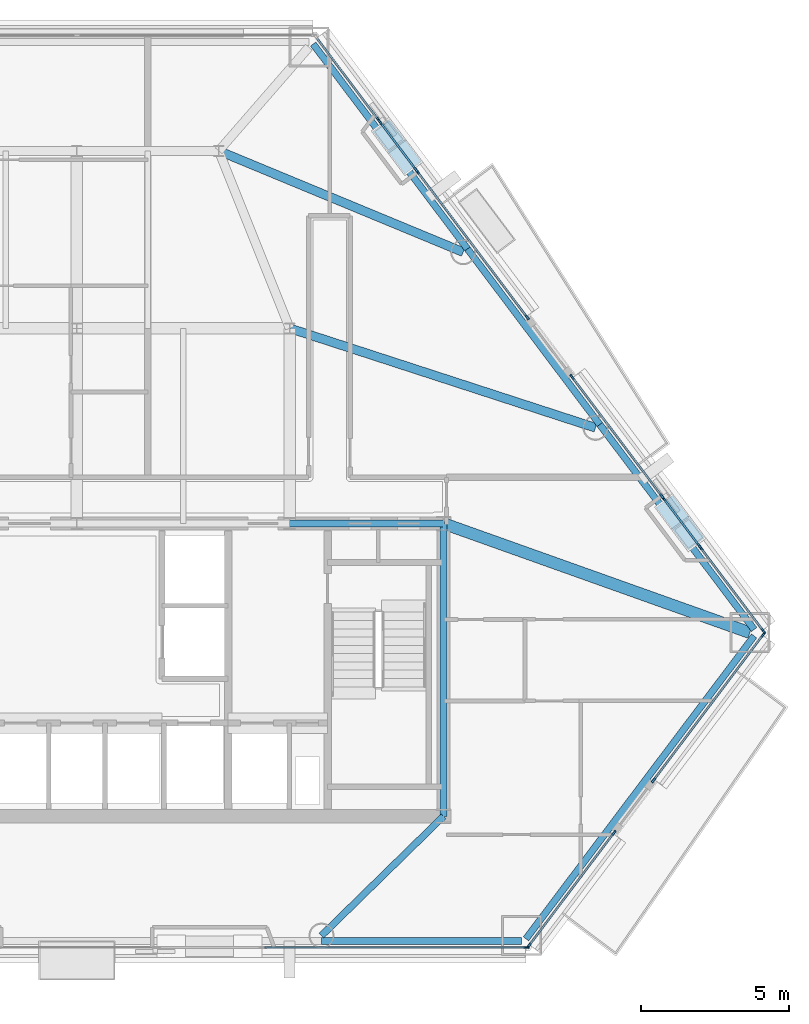
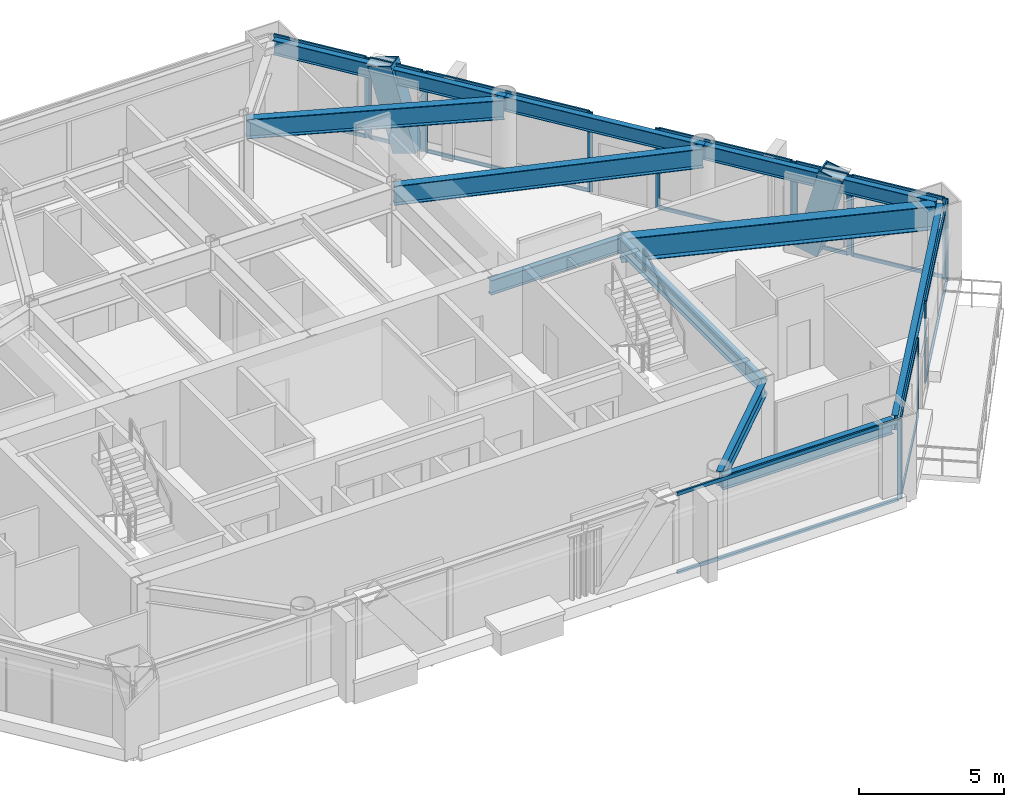
# One storey, part 4 of 11: 36 members, 11 beams, 9 elements without a shape of their own.
"""IFC4 building model written with IfcOpenShell, lengths in metres."""

import ifcopenshell
import ifcopenshell.guid

model = None  # the IFC model being written
_history = None  # IfcOwnerHistory: only IFC2X3 demands one
_inside = {}  # id of a spatial element -> (the spatial element, [elements in it])
_under = {}  # id of a project, library or spatial element -> (it, [spatial elements below it])
_declared = {}  # id of a project -> (the project, [libraries it declares])
_typed = {}  # id of a type object -> (the type object, [elements of that type])
_made_of = {}  # id of a material, layer set ... -> (it, [elements and type objects made of it])


def new_model(schema):
    """Start an empty IFC model of exactly this schema.

    Asked for "IFC4X3", IfcOpenShell would pick the latest addendum, in which some entities
    have other attributes; the version numbers below select the first issue.
    IFC2X3 requires an IfcOwnerHistory on every rooted entity: one is made here for all.
    """
    global model, _history
    if schema == "IFC4X3":
        model = ifcopenshell.file(schema_version=(4, 3, 0, 0))
    else:
        model = ifcopenshell.file(schema=schema)
    _inside.clear()
    _under.clear()
    _declared.clear()
    _typed.clear()
    _made_of.clear()
    _history = None
    if model.schema == "IFC2X3":
        org = make("IfcOrganization", Name="unknown")
        user = make(
            "IfcPersonAndOrganization",
            ThePerson=make("IfcPerson", FamilyName="unknown"),
            TheOrganization=org,
        )
        app = make(
            "IfcApplication",
            ApplicationDeveloper=org,
            Version="unknown",
            ApplicationFullName="unknown",
            ApplicationIdentifier="unknown",
        )
        _history = make(
            "IfcOwnerHistory",
            OwningUser=user,
            OwningApplication=app,
            ChangeAction="ADDED",
            CreationDate=0,
        )
    return model


def make(cls, **values):
    """One entity of the class cls with the attributes given. An attribute that is None is left unset."""
    return model.create_entity(
        cls, **{name: value for name, value in values.items() if value is not None}
    )


def rooted(cls, **values):
    """An entity with a GlobalId (a new one), such as an element, a storey or a relation."""
    return make(cls, GlobalId=ifcopenshell.guid.new(), OwnerHistory=_history, **values)


def si_unit(unit_type, name, prefix=None):
    """IfcSIUnit, for example si_unit("LENGTHUNIT", "METRE", prefix="MILLI")."""
    return make("IfcSIUnit", UnitType=unit_type, Prefix=prefix, Name=name)


def assignment(units):
    """IfcUnitAssignment: the units of a project."""
    return None if units is None else make("IfcUnitAssignment", Units=units)


def point(xyz):
    """IfcCartesianPoint."""
    return None if xyz is None else make("IfcCartesianPoint", Coordinates=xyz)


def direction(xyz):
    """IfcDirection."""
    return None if xyz is None else make("IfcDirection", DirectionRatios=xyz)


def frame(location, z_axis=None, x_axis=None):
    """IfcAxis2Placement3D, a coordinate frame: its origin and axes. An axis left out is left unset."""
    return make(
        "IfcAxis2Placement3D",
        Location=point(location),
        Axis=direction(z_axis),
        RefDirection=direction(x_axis),
    )


def frame_2d(location, x_axis=None):
    """IfcAxis2Placement2D, a coordinate frame in the plane: its origin and x axis."""
    return make(
        "IfcAxis2Placement2D", Location=point(location), RefDirection=direction(x_axis)
    )


def origin():
    """The frame at (0, 0, 0) with its axes left unset."""
    return frame((0.0, 0.0, 0.0))


def origin_2d():
    """The frame at (0, 0) in the plane with its x axis left unset."""
    return frame_2d((0.0, 0.0))


def place(relative_to, where):
    """IfcLocalPlacement: puts the frame where relative to a parent placement (None: the world)."""
    return make(
        "IfcLocalPlacement", PlacementRelTo=relative_to, RelativePlacement=where
    )


def context(
    kind, dimensions, precision=None, world=None, true_north=None, identifier=None
):
    """IfcGeometricRepresentationContext, for example the 3D "Model" context."""
    return make(
        "IfcGeometricRepresentationContext",
        ContextIdentifier=identifier,
        ContextType=kind,
        CoordinateSpaceDimension=dimensions,
        Precision=precision,
        WorldCoordinateSystem=world,
        TrueNorth=true_north,
    )


def subcontext(parent, identifier, kind, view, scale=None):
    """IfcGeometricRepresentationSubContext, for example "Body" below "Model"."""
    return make(
        "IfcGeometricRepresentationSubContext",
        ContextIdentifier=identifier,
        ContextType=kind,
        ParentContext=parent,
        TargetScale=scale,
        TargetView=view,
    )


def project(units=None, contexts=None):
    """IfcProject with its units and contexts."""
    return rooted(
        "IfcProject",
        Name="project",
        RepresentationContexts=contexts,
        UnitsInContext=assignment(units),
    )


def spatial(cls, under=None, at=None, **own):
    """A site, building, storey or space (cls), placed at a placement, below another one or the project."""
    s = rooted(cls, ObjectPlacement=at, **own)
    if under is not None:
        _under.setdefault(under.id(), (under, []))[1].append(s)
    return s


def profile(cls, at=None, kind="AREA", **sizes):
    """A parametric profile (cls). Its sizes go by their IFC names, for example OverallWidth=200.0."""
    return make(cls, ProfileType=kind, Position=at, **sizes)


def rectangle(**sizes):
    """IfcRectangleProfileDef."""
    return profile("IfcRectangleProfileDef", **sizes)


def hollow_rectangle(**sizes):
    """IfcRectangleHollowProfileDef."""
    return profile("IfcRectangleHollowProfileDef", **sizes)


def i_section(**sizes):
    """IfcIShapeProfileDef."""
    return profile("IfcIShapeProfileDef", **sizes)


def extrude(swept, where, along, depth):
    """IfcExtrudedAreaSolid: the profile swept, set in the frame where, extruded along a direction by depth."""
    return make(
        "IfcExtrudedAreaSolid",
        SweptArea=swept,
        Position=where,
        ExtrudedDirection=direction(along),
        Depth=depth,
    )


def shape(context_of_items, identifier, shape_type, items):
    """IfcShapeRepresentation: the items that make up one representation, for example the "Body"."""
    return make(
        "IfcShapeRepresentation",
        ContextOfItems=context_of_items,
        RepresentationIdentifier=identifier,
        RepresentationType=shape_type,
        Items=items,
    )


def material(Name=None, Category=None):
    """IfcMaterial."""
    return make("IfcMaterial", Name=Name, Category=Category)


def layer(
    of_material, thickness, ventilated=None, Name=None, Category=None, Priority=None
):
    """IfcMaterialLayer: one layer of a wall or slab, of a material (None: an air gap)."""
    return make(
        "IfcMaterialLayer",
        Material=of_material,
        LayerThickness=thickness,
        IsVentilated=ventilated,
        Name=Name,
        Category=Category,
        Priority=Priority,
    )


def layer_set(layers, Name=None):
    """IfcMaterialLayerSet."""
    return make("IfcMaterialLayerSet", MaterialLayers=layers, LayerSetName=Name)


def material_profile(
    of_material, cross_section, Name=None, Category=None, Priority=None
):
    """IfcMaterialProfile: a cross section and its material."""
    return make(
        "IfcMaterialProfile",
        Name=Name,
        Material=of_material,
        Profile=cross_section,
        Priority=Priority,
        Category=Category,
    )


def profile_set(profiles, Name=None, composite=None):
    """IfcMaterialProfileSet."""
    return make(
        "IfcMaterialProfileSet",
        Name=Name,
        MaterialProfiles=profiles,
        CompositeProfile=composite,
    )


def made_of(thing, what):
    """Note that an element or type object is made of a material, layer set ...; save() writes the relation."""
    if what is not None:
        _made_of.setdefault(what.id(), (what, []))[1].append(thing)
    return thing


def type_object(cls, material=None, **own):
    """A type object (cls), such as IfcWallType, which elements share."""
    return made_of(rooted(cls, **own), material)


def element(
    cls,
    number,
    at=None,
    inside=None,
    cuts=None,
    type_object=None,
    material=None,
    context=None,
    identifier="Body",
    shape_type=None,
    held_by="IfcProductDefinitionShape",
    body=None,
    shapes=None,
    **own,
):
    """One element of the class cls, such as IfcWall. Its Tag is "e" and its number.

    at: its placement. inside: the storey or other place that contains it. cuts: it is an
    opening in that element (IfcRelVoidsElement). A single representation is given by context,
    identifier, shape_type and body (its items); several are given by shapes. held_by: the class
    of the entity that holds the representations. save() writes the other relations.
    """
    e = rooted(cls, Tag="e%d" % number, ObjectPlacement=at, **own)
    if body is not None:
        shapes = [shape(context, identifier, shape_type, body)]
    if shapes is not None:
        e.Representation = make(held_by, Representations=shapes)
    if inside is not None:
        _inside.setdefault(inside.id(), (inside, []))[1].append(e)
    if cuts is not None:
        rooted(
            "IfcRelVoidsElement", RelatingBuildingElement=cuts, RelatedOpeningElement=e
        )
    if type_object is not None:
        _typed.setdefault(type_object.id(), (type_object, []))[1].append(e)
    return made_of(e, material)


def aggregate(whole, parts):
    """IfcRelAggregates: a whole, such as a stair, and the parts it consists of."""
    return rooted("IfcRelAggregates", RelatingObject=whole, RelatedObjects=parts)


def save(model, path):
    """Write the relations noted so far, then the file.

    IfcRelAggregates (storeys below a building ...), IfcRelContainedInSpatialStructure (elements
    in a storey), IfcRelDefinesByType, IfcRelAssociatesMaterial and IfcRelDeclares: one each for
    every whole, place, type object, material and project.
    """
    for whole, parts in _under.values():
        aggregate(whole, parts)
    for where, things in _inside.values():
        rooted(
            "IfcRelContainedInSpatialStructure",
            RelatedElements=things,
            RelatingStructure=where,
        )
    for kind, things in _typed.values():
        rooted("IfcRelDefinesByType", RelatedObjects=things, RelatingType=kind)
    for what, things in _made_of.values():
        rooted("IfcRelAssociatesMaterial", RelatedObjects=things, RelatingMaterial=what)
    for by, libraries in _declared.values():
        rooted("IfcRelDeclares", RelatingContext=by, RelatedDefinitions=libraries)
    model.write(path)


model = new_model("IFC4")

# Units and contexts
model_context = context("Model", 3, precision=1e-05, world=origin(), true_north=direction((0.0, 1.0)))
body_context = subcontext(model_context, "Body", "Model", "MODEL_VIEW")
ifc_project = project(units=[si_unit("LENGTHUNIT", "METRE"), si_unit("AREAUNIT", "SQUARE_METRE"), si_unit("VOLUMEUNIT", "CUBIC_METRE"), si_unit("PLANEANGLEUNIT", "RADIAN"), si_unit("MASSUNIT", "GRAM", prefix="KILO")], contexts=[model_context])

# Site, building, storey
site_placement = place(None, origin())
site = spatial("IfcSite", under=ifc_project, at=site_placement, CompositionType="ELEMENT")
building_placement = place(site_placement, origin())
building = spatial("IfcBuilding", under=site, at=building_placement, Name="Talgorran Terracotta Tower", CompositionType="ELEMENT")
storey_placement = place(building_placement, frame((0.0, 0.0, 42.300048828125)))
storey = spatial("IfcBuildingStorey", under=building, at=storey_placement, Name="L10", CompositionType="ELEMENT", Elevation=42.300048828125)

# Beams
ifc_material_1 = material(Name="Steel Grade 350 (350L0)", Category="steel")
ifc_material_profile_1 = material_profile(ifc_material_1, i_section(OverallWidth=0.39990234375, OverallDepth=1.0, WebThickness=0.01611328125, FlangeThickness=0.031005859375, at=origin_2d()), Name="1000WB296")
ifc_profile_set_1 = profile_set([ifc_material_profile_1], Name="Steel Grade 350 (350L0)")
beam_type_1 = type_object("IfcBeamType", Name="BM_1000WB296", PredefinedType="BEAM", material=ifc_profile_set_1)
beam_1_placement = place(storey_placement, frame((12.39990234375, -4.199951171875, 2.849853515625), z_axis=(0.941952171634, -0.335747086889, 0.0), x_axis=(0.335747086889, 0.941952171634, 0.0)))
element("IfcBeam", 1, at=beam_1_placement, inside=storey, type_object=beam_type_1, Name="L10 Floor Girder G18", PredefinedType="BEAM", context=body_context, shape_type="SweptSolid", body=[
    extrude(i_section(OverallWidth=0.39990234375, OverallDepth=1.0, WebThickness=0.01611328125, FlangeThickness=0.031005859375, at=origin_2d()), origin(), (0.0, 0.0, 1.0), 10.99755859375),
])
ifc_material_2 = material(Name="Steel S355 (300PLUS)", Category="steel")
ifc_material_profile_2 = material_profile(ifc_material_2, i_section(OverallWidth=0.300048828125, OverallDepth=0.81591796875, WebThickness=0.013916015625, FlangeThickness=0.028076171875, at=origin_2d()), Name="800WB192")
ifc_profile_set_2 = profile_set([ifc_material_profile_2], Name="Steel S355 (300PLUS)")
beam_type_2 = type_object("IfcBeamType", Name="BM_800WB192", PredefinedType="BEAM", material=ifc_profile_set_2)
beam_2_placement = place(storey_placement, frame((7.199951171875, 2.39990234375, 2.94189453125), z_axis=(0.950964080861, -0.309301336746, 0.0), x_axis=(0.309301336746, 0.950964080861, 0.0)))
element("IfcBeam", 2, at=beam_2_placement, inside=storey, type_object=beam_type_2, Name="L10 Floor Girder G07", PredefinedType="BEAM", context=body_context, shape_type="SweptSolid", body=[
    extrude(i_section(OverallWidth=0.300048828125, OverallDepth=0.81591796875, WebThickness=0.013916015625, FlangeThickness=0.028076171875, at=origin_2d()), origin(), (0.0, 0.0, 1.0), 10.873046875),
])
beam_3_placement = place(storey_placement, frame((4.800048828125, 8.39990234375, 2.94189453125), z_axis=(0.923897446569, -0.382640181141, 0.0), x_axis=(0.382640181141, 0.923897446569, 0.0)))
element("IfcBeam", 3, at=beam_3_placement, inside=storey, type_object=beam_type_2, Name="L10 Floor Girder G14", PredefinedType="BEAM", context=body_context, shape_type="SweptSolid", body=[
    extrude(i_section(OverallWidth=0.300048828125, OverallDepth=0.81591796875, WebThickness=0.013916015625, FlangeThickness=0.028076171875, at=origin_2d()), origin(), (0.0, 0.0, 1.0), 8.947265625),
])
ifc_material_profile_3 = material_profile(ifc_material_2, i_section(OverallWidth=0.22900390625, OverallDepth=0.611572265625, WebThickness=0.011962890625, FlangeThickness=0.01953125, at=origin_2d()), Name="610UB125")
ifc_profile_set_3 = profile_set([ifc_material_profile_3], Name="Steel S355 (300PLUS)")
beam_type_3 = type_object("IfcBeamType", Name="BM_SP_610UB125", PredefinedType="SPANDREL", material=ifc_profile_set_3)
beam_4_placement = place(storey_placement, frame((8.274169921875, -18.315673828125, 3.044189453125), z_axis=(1.0, 0.0, 0.0), x_axis=(0.0, 1.0, 0.0)))
element("IfcBeam", 4, at=beam_4_placement, inside=storey, type_object=beam_type_3, Name="L10 Perimeter Spandrel Beam FC2-MC3", PredefinedType="SPANDREL", context=body_context, shape_type="SweptSolid", body=[
    extrude(i_section(OverallWidth=0.22900390625, OverallDepth=0.611572265625, WebThickness=0.011962890625, FlangeThickness=0.01953125, at=origin_2d()), origin(), (0.0, 0.0, 1.0), 6.769775390625),
])
beam_5_placement = place(storey_placement, frame((15.187744140625, -18.243896484375, 3.044189453125), z_axis=(0.601631480878, 0.79877378601, 0.0), x_axis=(-0.79877378601, 0.601631480878, 0.0)))
element("IfcBeam", 5, at=beam_5_placement, inside=storey, type_object=beam_type_3, Name="L10 Perimeter Spandrel Beam MC3-MC4", PredefinedType="SPANDREL", context=body_context, shape_type="SweptSolid", body=[
    extrude(i_section(OverallWidth=0.22900390625, OverallDepth=0.611572265625, WebThickness=0.011962890625, FlangeThickness=0.01953125, at=origin_2d()), origin(), (0.0, 0.0, 1.0), 12.82373046875),
])
beam_6_placement = place(storey_placement, frame((22.90283203125, -7.7841796875, 3.044189453125), z_axis=(-0.601633271951, 0.798772436981, 0.0), x_axis=(-0.798772436981, -0.601633271951, 0.0)))
element("IfcBeam", 6, at=beam_6_placement, inside=storey, type_object=beam_type_3, Name="L10 Perimeter Spandrel Beam MC4-FC3", PredefinedType="SPANDREL", context=body_context, shape_type="SweptSolid", body=[
    extrude(i_section(OverallWidth=0.22900390625, OverallDepth=0.611572265625, WebThickness=0.011962890625, FlangeThickness=0.01953125, at=origin_2d()), origin(), (0.0, 0.0, 1.0), 8.675048828125),
])
beam_7_placement = place(storey_placement, frame((17.68359375, -0.854736328125, 3.044189453125), z_axis=(-0.601616830796, 0.79878482015, 0.0), x_axis=(-0.79878482015, -0.601616830796, 0.0)))
element("IfcBeam", 7, at=beam_7_placement, inside=storey, type_object=beam_type_3, Name="L10 Perimeter Spandrel Beam FC3-FC4", PredefinedType="SPANDREL", context=body_context, shape_type="SweptSolid", body=[
    extrude(i_section(OverallWidth=0.22900390625, OverallDepth=0.611572265625, WebThickness=0.011962890625, FlangeThickness=0.01953125, at=origin_2d()), origin(), (0.0, 0.0, 1.0), 7.435546875),
])
beam_8_placement = place(storey_placement, frame((13.210205078125, 5.084716796875, 3.044189453125), z_axis=(-0.601628840165, 0.798775774972, 0.0), x_axis=(-0.798775774972, -0.601628840165, 0.0)))
element("IfcBeam", 8, at=beam_8_placement, inside=storey, type_object=beam_type_3, Name="L10 Perimeter Spandrel Beam FC4-MC5", PredefinedType="SPANDREL", context=body_context, shape_type="SweptSolid", body=[
    extrude(i_section(OverallWidth=0.22900390625, OverallDepth=0.611572265625, WebThickness=0.011962890625, FlangeThickness=0.01953125, at=origin_2d()), origin(), (0.0, 0.0, 1.0), 8.6748046875),
])
beam_9_placement = place(storey_placement, frame((12.39990234375, -14.10009765625, 3.044189453125), z_axis=(-0.714889648405, -0.699237292058, 0.0), x_axis=(0.699237292058, -0.714889648405, 0.0)))
element("IfcBeam", 9, at=beam_9_placement, inside=storey, type_object=beam_type_3, Name="L10 South-East Core Tie Beam", PredefinedType="SPANDREL", context=body_context, shape_type="SweptSolid", body=[
    extrude(i_section(OverallWidth=0.22900390625, OverallDepth=0.611572265625, WebThickness=0.011962890625, FlangeThickness=0.01953125, at=origin_2d()), origin(), (0.0, 0.0, 1.0), 5.771240234375),
])
beam_10_placement = place(storey_placement, frame((12.39990234375, -14.10009765625, 3.044189453125), z_axis=(0.0, 1.0, 0.0), x_axis=(-1.0, 0.0, 0.0)))
element("IfcBeam", 10, at=beam_10_placement, inside=storey, type_object=beam_type_3, Name="L10 Core Frame Beam CFE", PredefinedType="SPANDREL", context=body_context, shape_type="SweptSolid", body=[
    extrude(i_section(OverallWidth=0.22900390625, OverallDepth=0.611572265625, WebThickness=0.011962890625, FlangeThickness=0.01953125, at=origin_2d()), origin(), (0.0, 0.0, 1.0), 9.900146484375),
])
beam_11_placement = place(storey_placement, frame((7.199951171875, -4.199951171875, 3.044189453125), z_axis=(1.0, 0.0, 0.0), x_axis=(0.0, 1.0, 0.0)))
element("IfcBeam", 11, at=beam_11_placement, inside=storey, type_object=beam_type_3, Name="L10 Core Frame Beam CFN4", PredefinedType="SPANDREL", context=body_context, shape_type="SweptSolid", body=[
    extrude(i_section(OverallWidth=0.22900390625, OverallDepth=0.611572265625, WebThickness=0.011962890625, FlangeThickness=0.01953125, at=origin_2d()), origin(), (0.0, 0.0, 1.0), 5.199951171875),
])

# Members
ifc_material_profile_4 = material_profile(ifc_material_1, hollow_rectangle(XDim=0.699951171875, YDim=0.89990234375, WallThickness=0.050048828125, at=origin_2d()), Name="WBOX900X700X50")
ifc_profile_set_4 = profile_set([ifc_material_profile_4], Name="Steel Grade 350 (350L0)")
member_type_1 = type_object("IfcMemberType", Name="MB_MEGA_900", PredefinedType="BRACE", material=ifc_profile_set_4)
for number, where, z_axis, x_axis, name in (
    (12, (20.127685546875, -3.80029296875, -0.025146484375), (0.159320244597, -0.211526878419, 0.964299455236), (0.798774681466, 0.601630291998, 0.0), "L10 Exterior Face Mega-Brace MB-1 (NEL)"),
    (13, (11.10888671875, 8.173583984375, -0.025146484375), (-0.159320244597, 0.211526878419, 0.964299455236), (-0.798774681466, -0.601630291998, 0.0), "L10 Exterior Face Mega-Brace MB-1 (NEU)"),
):
    element("IfcMember", number, at=place(storey_placement, frame(where, z_axis=z_axis, x_axis=x_axis)), inside=storey, type_object=member_type_1, Name=name, PredefinedType="BRACE", context=body_context, shape_type="SweptSolid", body=[
        extrude(hollow_rectangle(XDim=0.699951171875, YDim=0.89990234375, WallThickness=0.050048828125, at=origin_2d()), origin(), (0.0, 0.0, 1.0), 3.526123046875),
    ])

# Curtain wall, member
ifc_material_3 = material(Name="Unitised Low-E Double Glazing", Category="glass")
ifc_layer = layer(ifc_material_3, 0.199951171875, Name="CW_SYS2_RES_LOW")
ifc_layer_set = layer_set([ifc_layer], Name="Unitised Low-E Double Glazing")
curtain_wall_type = type_object("IfcCurtainWallType", Name="CW_SYS2_RES_LOW", PredefinedType="NOTDEFINED", material=ifc_layer_set)
curtain_wall_1_placement = place(storey_placement, origin())
curtain_wall_1 = element("IfcCurtainWall", 14, at=curtain_wall_1_placement, inside=storey, type_object=curtain_wall_type, Name="CW-L10-F1E", PredefinedType="NOTDEFINED")
ifc_material_4 = material(Name="Architectural Aluminium 6063-T6", Category="aluminium")
ifc_material_profile_5 = material_profile(ifc_material_4, rectangle(XDim=0.06494140625, YDim=0.18505859375, at=origin_2d()), Name="CWM65X185")
ifc_profile_set_5 = profile_set([ifc_material_profile_5], Name="Architectural Aluminium 6063-T6")
member_type_2 = type_object("IfcMemberType", Name="MUL_65X185", PredefinedType="MULLION", material=ifc_profile_set_5)
member_1_placement = place(storey_placement, frame((15.2109375, -18.53564453125, 0.0), z_axis=(0.0, 0.0, 1.0), x_axis=(0.0, 1.0, 0.0)))
member_1 = element("IfcMember", 15, at=member_1_placement, type_object=member_type_2, Name="CW-L10-1E mullion 2", PredefinedType="MULLION", context=body_context, shape_type="SweptSolid", body=[
    extrude(rectangle(XDim=0.06494140625, YDim=0.18505859375, at=origin_2d()), origin(), (0.0, 0.0, 1.0), 3.349853515625),
])

# Curtain wall, members
curtain_wall_2_placement = place(storey_placement, origin())
curtain_wall_2 = element("IfcCurtainWall", 16, at=curtain_wall_2_placement, inside=storey, type_object=curtain_wall_type, Name="CW-L10-F30", PredefinedType="NOTDEFINED")
member_2_placement = place(storey_placement, frame((15.287109375, -18.4775390625, 0.0), z_axis=(0.0, 0.0, 1.0), x_axis=(-0.798774723676, 0.601630235956, 0.0)))
member_2 = element("IfcMember", 17, at=member_2_placement, type_object=member_type_2, Name="CW-L10-30 mullion 1", PredefinedType="MULLION", context=body_context, shape_type="SweptSolid", body=[
    extrude(rectangle(XDim=0.06494140625, YDim=0.18505859375, at=origin_2d()), origin(), (0.0, 0.0, 1.0), 3.349853515625),
])
member_3_placement = place(storey_placement, frame((18.16259765625, -14.65966796875, 0.0), z_axis=(0.0, 0.0, 1.0), x_axis=(-0.798774723676, 0.601630235956, 0.0)))
member_3 = element("IfcMember", 18, at=member_3_placement, type_object=member_type_2, Name="CW-L10-30 mullion 2", PredefinedType="MULLION", context=body_context, shape_type="SweptSolid", body=[
    extrude(rectangle(XDim=0.06494140625, YDim=0.18505859375, at=origin_2d()), origin(), (0.0, 0.0, 1.0), 3.349853515625),
])

curtain_wall_3_placement = place(storey_placement, origin())
curtain_wall_3 = element("IfcCurtainWall", 19, at=curtain_wall_3_placement, inside=storey, type_object=curtain_wall_type, Name="CW-L10-F31", PredefinedType="NOTDEFINED")
member_4_placement = place(storey_placement, frame((19.501220703125, -12.882568359375, 0.0), z_axis=(0.0, 0.0, 1.0), x_axis=(-0.798773272199, 0.601632163053, 0.0)))
member_4 = element("IfcMember", 20, at=member_4_placement, type_object=member_type_2, Name="CW-L10-31 mullion 1", PredefinedType="MULLION", context=body_context, shape_type="SweptSolid", body=[
    extrude(rectangle(XDim=0.06494140625, YDim=0.18505859375, at=origin_2d()), origin(), (0.0, 0.0, 1.0), 3.349853515625),
])
member_5_placement = place(storey_placement, frame((23.216064453125, -7.950439453125, 0.0), z_axis=(0.0, 0.0, 1.0), x_axis=(-0.798773272199, 0.601632163053, 0.0)))
member_5 = element("IfcMember", 21, at=member_5_placement, type_object=member_type_2, Name="CW-L10-31 mullion 2", PredefinedType="MULLION", context=body_context, shape_type="SweptSolid", body=[
    extrude(rectangle(XDim=0.06494140625, YDim=0.18505859375, at=origin_2d()), origin(), (0.0, 0.0, 1.0), 3.349853515625),
])

curtain_wall_4_placement = place(storey_placement, origin())
curtain_wall_4 = element("IfcCurtainWall", 22, at=curtain_wall_4_placement, inside=storey, type_object=curtain_wall_type, Name="CW-L10-F40", PredefinedType="NOTDEFINED")
member_6_placement = place(storey_placement, frame((23.216064453125, -7.83447265625, 0.0), z_axis=(0.0, 0.0, 1.0), x_axis=(-0.798775023222, -0.601629838254, 0.0)))
member_6 = element("IfcMember", 23, at=member_6_placement, type_object=member_type_2, Name="CW-L10-40 mullion 1", PredefinedType="MULLION", context=body_context, shape_type="SweptSolid", body=[
    extrude(rectangle(XDim=0.06494140625, YDim=0.18505859375, at=origin_2d()), origin(), (0.0, 0.0, 1.0), 3.349853515625),
])
member_7_placement = place(storey_placement, frame((21.09521484375, -5.0185546875, 0.0), z_axis=(0.0, 0.0, 1.0), x_axis=(-0.798775023222, -0.601629838254, 0.0)))
member_7 = element("IfcMember", 24, at=member_7_placement, type_object=member_type_2, Name="CW-L10-40 mullion 2", PredefinedType="MULLION", context=body_context, shape_type="SweptSolid", body=[
    extrude(rectangle(XDim=0.06494140625, YDim=0.18505859375, at=origin_2d()), origin(), (0.0, 0.0, 1.0), 3.349853515625),
])

curtain_wall_5_placement = place(storey_placement, origin())
curtain_wall_5 = element("IfcCurtainWall", 25, at=curtain_wall_5_placement, inside=storey, type_object=curtain_wall_type, Name="CW-L10-F40B", PredefinedType="NOTDEFINED")
member_8_placement = place(storey_placement, frame((21.050048828125, -4.958740234375, 0.0), z_axis=(0.0, 0.0, 1.0), x_axis=(-0.798782111654, -0.601620426931, 0.0)))
member_8 = element("IfcMember", 26, at=member_8_placement, type_object=member_type_2, Name="CW-L10-40B mullion 1", PredefinedType="MULLION", context=body_context, shape_type="SweptSolid", body=[
    extrude(rectangle(XDim=0.06494140625, YDim=0.18505859375, at=origin_2d()), origin(), (0.0, 0.0, 1.0), 3.349853515625),
])
member_9_placement = place(storey_placement, frame((19.830810546875, -3.33984375, 0.0), z_axis=(0.0, 0.0, 1.0), x_axis=(-0.798782111654, -0.601620426931, 0.0)))
member_9 = element("IfcMember", 27, at=member_9_placement, type_object=member_type_2, Name="CW-L10-40B mullion 2", PredefinedType="MULLION", context=body_context, shape_type="SweptSolid", body=[
    extrude(rectangle(XDim=0.06494140625, YDim=0.18505859375, at=origin_2d()), origin(), (0.0, 0.0, 1.0), 3.349853515625),
])

curtain_wall_6_placement = place(storey_placement, origin())
curtain_wall_6 = element("IfcCurtainWall", 28, at=curtain_wall_6_placement, inside=storey, type_object=curtain_wall_type, Name="CW-L10-F40C", PredefinedType="NOTDEFINED")
member_10_placement = place(storey_placement, frame((19.78564453125, -3.27978515625, 0.0), z_axis=(0.0, 0.0, 1.0), x_axis=(-0.798781394518, -0.601621379085, 0.0)))
member_10 = element("IfcMember", 29, at=member_10_placement, type_object=member_type_2, Name="CW-L10-40C mullion 1", PredefinedType="MULLION", context=body_context, shape_type="SweptSolid", body=[
    extrude(rectangle(XDim=0.06494140625, YDim=0.18505859375, at=origin_2d()), origin(), (0.0, 0.0, 1.0), 3.349853515625),
])
member_11_placement = place(storey_placement, frame((16.745849609375, 0.756103515625, 0.0), z_axis=(0.0, 0.0, 1.0), x_axis=(-0.798781394518, -0.601621379085, 0.0)))
member_11 = element("IfcMember", 30, at=member_11_placement, type_object=member_type_2, Name="CW-L10-40C mullion 2", PredefinedType="MULLION", context=body_context, shape_type="SweptSolid", body=[
    extrude(rectangle(XDim=0.06494140625, YDim=0.18505859375, at=origin_2d()), origin(), (0.0, 0.0, 1.0), 3.349853515625),
])

curtain_wall_7_placement = place(storey_placement, origin())
curtain_wall_7 = element("IfcCurtainWall", 31, at=curtain_wall_7_placement, inside=storey, type_object=curtain_wall_type, Name="CW-L10-F41", PredefinedType="NOTDEFINED")
member_12_placement = place(storey_placement, frame((15.226806640625, 2.77294921875, 0.0), z_axis=(0.0, 0.0, 1.0), x_axis=(-0.79877809259, -0.601625763078, 0.0)))
member_12 = element("IfcMember", 32, at=member_12_placement, type_object=member_type_2, Name="CW-L10-41 mullion 1", PredefinedType="MULLION", context=body_context, shape_type="SweptSolid", body=[
    extrude(rectangle(XDim=0.06494140625, YDim=0.18505859375, at=origin_2d()), origin(), (0.0, 0.0, 1.0), 3.349853515625),
])
member_13_placement = place(storey_placement, frame((11.514892578125, 7.701416015625, 0.0), z_axis=(0.0, 0.0, 1.0), x_axis=(-0.79877809259, -0.601625763078, 0.0)))
member_13 = element("IfcMember", 33, at=member_13_placement, type_object=member_type_2, Name="CW-L10-41 mullion 2", PredefinedType="MULLION", context=body_context, shape_type="SweptSolid", body=[
    extrude(rectangle(XDim=0.06494140625, YDim=0.18505859375, at=origin_2d()), origin(), (0.0, 0.0, 1.0), 3.349853515625),
])

curtain_wall_8_placement = place(storey_placement, origin())
curtain_wall_8 = element("IfcCurtainWall", 34, at=curtain_wall_8_placement, inside=storey, type_object=curtain_wall_type, Name="CW-L10-F41B", PredefinedType="NOTDEFINED")
member_14_placement = place(storey_placement, frame((11.4697265625, 7.76123046875, 0.0), z_axis=(0.0, 0.0, 1.0), x_axis=(-0.798764806564, -0.601643402519, 0.0)))
member_14 = element("IfcMember", 35, at=member_14_placement, type_object=member_type_2, Name="CW-L10-41B mullion 1", PredefinedType="MULLION", context=body_context, shape_type="SweptSolid", body=[
    extrude(rectangle(XDim=0.06494140625, YDim=0.18505859375, at=origin_2d()), origin(), (0.0, 0.0, 1.0), 3.349853515625),
])
member_15_placement = place(storey_placement, frame((10.25048828125, 9.380126953125, 0.0), z_axis=(0.0, 0.0, 1.0), x_axis=(-0.798764806564, -0.601643402519, 0.0)))
member_15 = element("IfcMember", 36, at=member_15_placement, type_object=member_type_2, Name="CW-L10-41B mullion 2", PredefinedType="MULLION", context=body_context, shape_type="SweptSolid", body=[
    extrude(rectangle(XDim=0.06494140625, YDim=0.18505859375, at=origin_2d()), origin(), (0.0, 0.0, 1.0), 3.349853515625),
])

# Curtain wall, member
curtain_wall_9_placement = place(storey_placement, origin())
curtain_wall_9 = element("IfcCurtainWall", 37, at=curtain_wall_9_placement, inside=storey, type_object=curtain_wall_type, Name="CW-L10-F41C", PredefinedType="NOTDEFINED")
member_16_placement = place(storey_placement, frame((10.205322265625, 9.43994140625, 0.0), z_axis=(0.0, 0.0, 1.0), x_axis=(-0.798774909943, -0.601629988652, 0.0)))
member_16 = element("IfcMember", 38, at=member_16_placement, type_object=member_type_2, Name="CW-L10-41C mullion 1", PredefinedType="MULLION", context=body_context, shape_type="SweptSolid", body=[
    extrude(rectangle(XDim=0.06494140625, YDim=0.18505859375, at=origin_2d()), origin(), (0.0, 0.0, 1.0), 3.349853515625),
])

# Member
ifc_material_profile_6 = material_profile(ifc_material_4, rectangle(XDim=0.06494140625, YDim=0.14990234375, at=origin_2d()), Name="CWT65X150")
ifc_profile_set_6 = profile_set([ifc_material_profile_6], Name="Architectural Aluminium 6063-T6")
member_type_3 = type_object("IfcMemberType", Name="TRN_65X150", PredefinedType="USERDEFINED", material=ifc_profile_set_6)
member_17_placement = place(storey_placement, frame((6.363037109375, -18.53564453125, 0.032470703125), z_axis=(1.0, 0.0, 0.0), x_axis=(0.0, 1.0, 0.0)))
member_17 = element("IfcMember", 39, at=member_17_placement, type_object=member_type_3, Name="CW-L10-1E transom 1.1", ObjectType="TRANSOM", PredefinedType="USERDEFINED", context=body_context, shape_type="SweptSolid", body=[
    extrude(rectangle(XDim=0.06494140625, YDim=0.14990234375, at=origin_2d()), origin(), (0.0, 0.0, 1.0), 8.8154296875),
])

member_18_placement = place(storey_placement, frame((6.363037109375, -18.53564453125, 3.3173828125), z_axis=(1.0, 0.0, 0.0), x_axis=(0.0, 1.0, 0.0)))
member_18 = element("IfcMember", 40, at=member_18_placement, type_object=member_type_3, Name="CW-L10-1E transom 1.2", ObjectType="TRANSOM", PredefinedType="USERDEFINED", context=body_context, shape_type="SweptSolid", body=[
    extrude(rectangle(XDim=0.06494140625, YDim=0.14990234375, at=origin_2d()), origin(), (0.0, 0.0, 1.0), 8.8154296875),
])

aggregate(curtain_wall_1, [member_1, member_17, member_18])

member_19_placement = place(storey_placement, frame((15.306640625, -18.45166015625, 0.032470703125), z_axis=(0.601630994988, 0.798774151979, 0.0), x_axis=(-0.798774151979, 0.601630994988, 0.0)))
member_19 = element("IfcMember", 41, at=member_19_placement, type_object=member_type_3, Name="CW-L10-30 transom 1.1", ObjectType="TRANSOM", PredefinedType="USERDEFINED", context=body_context, shape_type="SweptSolid", body=[
    extrude(rectangle(XDim=0.06494140625, YDim=0.14990234375, at=origin_2d()), origin(), (0.0, 0.0, 1.0), 4.714599609375),
])

member_20_placement = place(storey_placement, frame((15.306640625, -18.45166015625, 3.3173828125), z_axis=(0.601630994988, 0.798774151979, 0.0), x_axis=(-0.798774151979, 0.601630994988, 0.0)))
member_20 = element("IfcMember", 42, at=member_20_placement, type_object=member_type_3, Name="CW-L10-30 transom 1.2", ObjectType="TRANSOM", PredefinedType="USERDEFINED", context=body_context, shape_type="SweptSolid", body=[
    extrude(rectangle(XDim=0.06494140625, YDim=0.14990234375, at=origin_2d()), origin(), (0.0, 0.0, 1.0), 4.714599609375),
])

aggregate(curtain_wall_2, [member_2, member_3, member_19, member_20])

member_21_placement = place(storey_placement, frame((19.520751953125, -12.856689453125, 0.032470703125), z_axis=(0.601622697572, 0.798780401466, 0.0), x_axis=(-0.798780401466, 0.601622697572, 0.0)))
member_21 = element("IfcMember", 43, at=member_21_placement, type_object=member_type_3, Name="CW-L10-31 transom 1.1", ObjectType="TRANSOM", PredefinedType="USERDEFINED", context=body_context, shape_type="SweptSolid", body=[
    extrude(rectangle(XDim=0.06494140625, YDim=0.14990234375, at=origin_2d()), origin(), (0.0, 0.0, 1.0), 6.10986328125),
])

member_22_placement = place(storey_placement, frame((19.520751953125, -12.856689453125, 3.3173828125), z_axis=(0.601622697572, 0.798780401466, 0.0), x_axis=(-0.798780401466, 0.601622697572, 0.0)))
member_22 = element("IfcMember", 44, at=member_22_placement, type_object=member_type_3, Name="CW-L10-31 transom 1.2", ObjectType="TRANSOM", PredefinedType="USERDEFINED", context=body_context, shape_type="SweptSolid", body=[
    extrude(rectangle(XDim=0.06494140625, YDim=0.14990234375, at=origin_2d()), origin(), (0.0, 0.0, 1.0), 6.10986328125),
])

aggregate(curtain_wall_3, [member_4, member_5, member_21, member_22])

member_23_placement = place(storey_placement, frame((23.196533203125, -7.80859375, 0.032470703125), z_axis=(-0.601601749915, 0.79879617832, 0.0), x_axis=(-0.79879617832, -0.601601749915, 0.0)))
member_23 = element("IfcMember", 45, at=member_23_placement, type_object=member_type_3, Name="CW-L10-40 transom 1.1", ObjectType="TRANSOM", PredefinedType="USERDEFINED", context=body_context, shape_type="SweptSolid", body=[
    extrude(rectangle(XDim=0.06494140625, YDim=0.14990234375, at=origin_2d()), origin(), (0.0, 0.0, 1.0), 3.46044921875),
])

member_24_placement = place(storey_placement, frame((23.196533203125, -7.80859375, 3.3173828125), z_axis=(-0.601601749915, 0.79879617832, 0.0), x_axis=(-0.79879617832, -0.601601749915, 0.0)))
member_24 = element("IfcMember", 46, at=member_24_placement, type_object=member_type_3, Name="CW-L10-40 transom 1.2", ObjectType="TRANSOM", PredefinedType="USERDEFINED", context=body_context, shape_type="SweptSolid", body=[
    extrude(rectangle(XDim=0.06494140625, YDim=0.14990234375, at=origin_2d()), origin(), (0.0, 0.0, 1.0), 3.46044921875),
])

aggregate(curtain_wall_4, [member_6, member_7, member_23, member_24])

member_25_placement = place(storey_placement, frame((21.030517578125, -4.9326171875, 0.032470703125), z_axis=(-0.601631643648, 0.798773663412, 0.0), x_axis=(-0.798773663412, -0.601631643648, 0.0)))
member_25 = element("IfcMember", 47, at=member_25_placement, type_object=member_type_3, Name="CW-L10-40B transom 1.1", ObjectType="TRANSOM", PredefinedType="USERDEFINED", context=body_context, shape_type="SweptSolid", body=[
    extrude(rectangle(XDim=0.06494140625, YDim=0.14990234375, at=origin_2d()), origin(), (0.0, 0.0, 1.0), 1.961669921875),
])

member_26_placement = place(storey_placement, frame((21.030517578125, -4.9326171875, 3.3173828125), z_axis=(-0.601631643648, 0.798773663412, 0.0), x_axis=(-0.798773663412, -0.601631643648, 0.0)))
member_26 = element("IfcMember", 48, at=member_26_placement, type_object=member_type_3, Name="CW-L10-40B transom 1.2", ObjectType="TRANSOM", PredefinedType="USERDEFINED", context=body_context, shape_type="SweptSolid", body=[
    extrude(rectangle(XDim=0.06494140625, YDim=0.14990234375, at=origin_2d()), origin(), (0.0, 0.0, 1.0), 1.961669921875),
])

aggregate(curtain_wall_5, [member_8, member_9, member_25, member_26])

member_27_placement = place(storey_placement, frame((19.76611328125, -3.25390625, 0.032470703125), z_axis=(-0.601619925968, 0.798782488966, 0.0), x_axis=(-0.798782488966, -0.601619925968, 0.0)))
member_27 = element("IfcMember", 49, at=member_27_placement, type_object=member_type_3, Name="CW-L10-40C transom 1.1", ObjectType="TRANSOM", PredefinedType="USERDEFINED", context=body_context, shape_type="SweptSolid", body=[
    extrude(rectangle(XDim=0.06494140625, YDim=0.14990234375, at=origin_2d()), origin(), (0.0, 0.0, 1.0), 4.98779296875),
])

member_28_placement = place(storey_placement, frame((19.76611328125, -3.25390625, 3.3173828125), z_axis=(-0.601619925968, 0.798782488966, 0.0), x_axis=(-0.798782488966, -0.601619925968, 0.0)))
member_28 = element("IfcMember", 50, at=member_28_placement, type_object=member_type_3, Name="CW-L10-40C transom 1.2", ObjectType="TRANSOM", PredefinedType="USERDEFINED", context=body_context, shape_type="SweptSolid", body=[
    extrude(rectangle(XDim=0.06494140625, YDim=0.14990234375, at=origin_2d()), origin(), (0.0, 0.0, 1.0), 4.98779296875),
])

aggregate(curtain_wall_6, [member_10, member_11, member_27, member_28])

member_29_placement = place(storey_placement, frame((15.207275390625, 2.799072265625, 0.032470703125), z_axis=(-0.601643213135, 0.798764949212, 0.0), x_axis=(-0.798764949212, -0.601643213135, 0.0)))
member_29 = element("IfcMember", 51, at=member_29_placement, type_object=member_type_3, Name="CW-L10-41 transom 1.1", ObjectType="TRANSOM", PredefinedType="USERDEFINED", context=body_context, shape_type="SweptSolid", body=[
    extrude(rectangle(XDim=0.06494140625, YDim=0.14990234375, at=origin_2d()), origin(), (0.0, 0.0, 1.0), 6.104736328125),
])

member_30_placement = place(storey_placement, frame((15.207275390625, 2.799072265625, 3.3173828125), z_axis=(-0.601643213135, 0.798764949212, 0.0), x_axis=(-0.798764949212, -0.601643213135, 0.0)))
member_30 = element("IfcMember", 52, at=member_30_placement, type_object=member_type_3, Name="CW-L10-41 transom 1.2", ObjectType="TRANSOM", PredefinedType="USERDEFINED", context=body_context, shape_type="SweptSolid", body=[
    extrude(rectangle(XDim=0.06494140625, YDim=0.14990234375, at=origin_2d()), origin(), (0.0, 0.0, 1.0), 6.104736328125),
])

aggregate(curtain_wall_7, [member_12, member_13, member_29, member_30])

member_31_placement = place(storey_placement, frame((11.4501953125, 7.787109375, 0.032470703125), z_axis=(-0.601631643648, 0.798773663412, 0.0), x_axis=(-0.798773663412, -0.601631643648, 0.0)))
member_31 = element("IfcMember", 53, at=member_31_placement, type_object=member_type_3, Name="CW-L10-41B transom 1.1", ObjectType="TRANSOM", PredefinedType="USERDEFINED", context=body_context, shape_type="SweptSolid", body=[
    extrude(rectangle(XDim=0.06494140625, YDim=0.14990234375, at=origin_2d()), origin(), (0.0, 0.0, 1.0), 1.961669921875),
])

member_32_placement = place(storey_placement, frame((11.4501953125, 7.787109375, 3.3173828125), z_axis=(-0.601631643648, 0.798773663412, 0.0), x_axis=(-0.798773663412, -0.601631643648, 0.0)))
member_32 = element("IfcMember", 54, at=member_32_placement, type_object=member_type_3, Name="CW-L10-41B transom 1.2", ObjectType="TRANSOM", PredefinedType="USERDEFINED", context=body_context, shape_type="SweptSolid", body=[
    extrude(rectangle(XDim=0.06494140625, YDim=0.14990234375, at=origin_2d()), origin(), (0.0, 0.0, 1.0), 1.961669921875),
])

aggregate(curtain_wall_8, [member_14, member_15, member_31, member_32])

member_33_placement = place(storey_placement, frame((10.185791015625, 9.4658203125, 0.032470703125), z_axis=(-0.601629139235, 0.798775549716, 0.0), x_axis=(-0.798775549716, -0.601629139235, 0.0)))
member_33 = element("IfcMember", 55, at=member_33_placement, type_object=member_type_3, Name="CW-L10-41C transom 1.1", ObjectType="TRANSOM", PredefinedType="USERDEFINED", context=body_context, shape_type="SweptSolid", body=[
    extrude(rectangle(XDim=0.06494140625, YDim=0.14990234375, at=origin_2d()), origin(), (0.0, 0.0, 1.0), 3.4501953125),
])

member_34_placement = place(storey_placement, frame((10.185791015625, 9.4658203125, 3.3173828125), z_axis=(-0.601629139235, 0.798775549716, 0.0), x_axis=(-0.798775549716, -0.601629139235, 0.0)))
member_34 = element("IfcMember", 56, at=member_34_placement, type_object=member_type_3, Name="CW-L10-41C transom 1.2", ObjectType="TRANSOM", PredefinedType="USERDEFINED", context=body_context, shape_type="SweptSolid", body=[
    extrude(rectangle(XDim=0.06494140625, YDim=0.14990234375, at=origin_2d()), origin(), (0.0, 0.0, 1.0), 3.4501953125),
])

aggregate(curtain_wall_9, [member_16, member_33, member_34])

save(model, "model.ifc")
